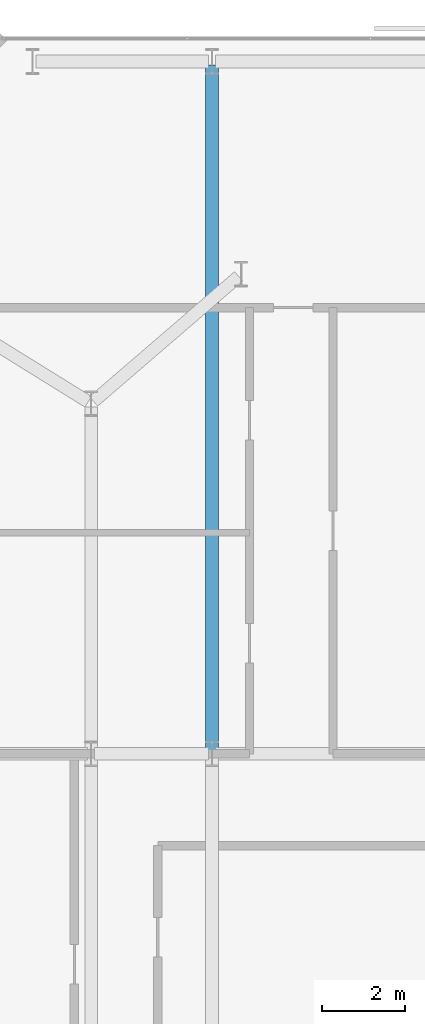
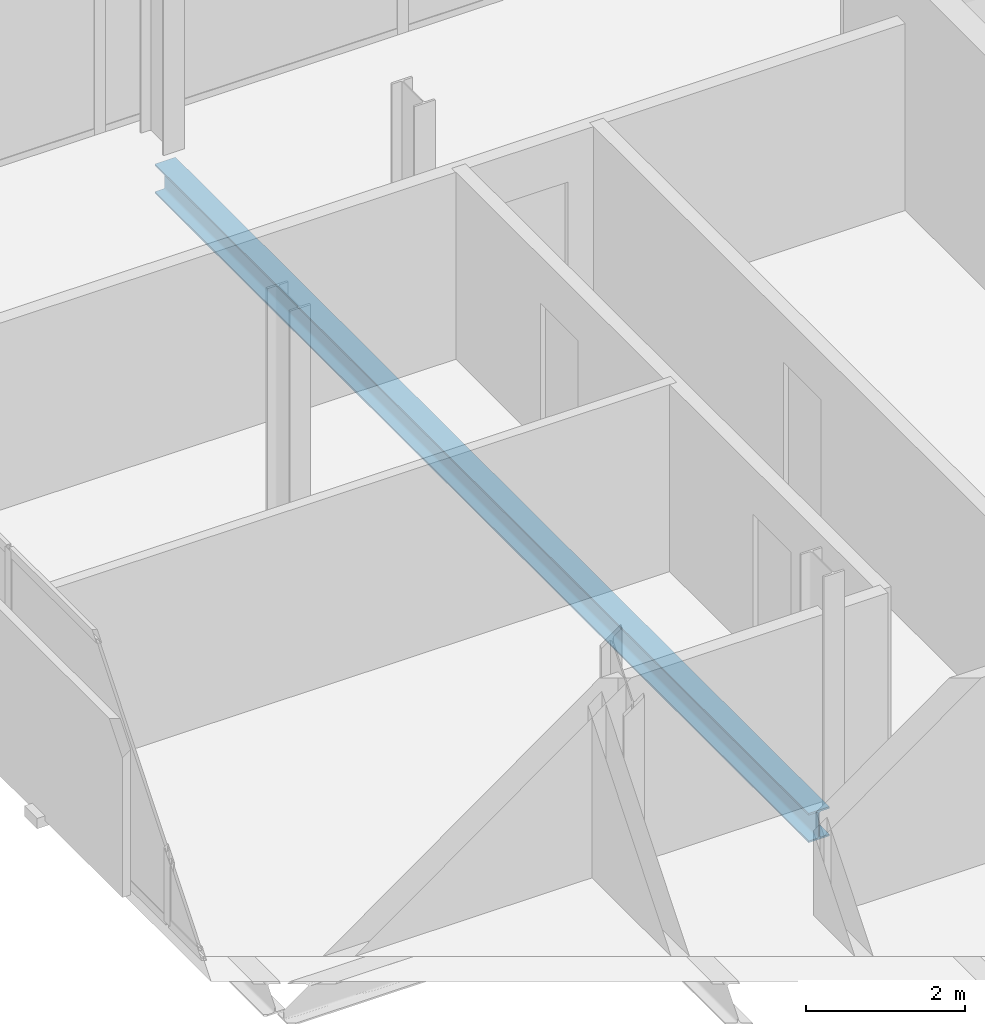
# One storey, part 18 of 32: 1 beam.
"""IFC4 building model written with IfcOpenShell, lengths in metres."""

from ifc_helpers import new_model, si_unit, direction, frame, origin, origin_2d, place, context, subcontext, project, spatial, i_section, extrude, material, material_profile, profile_set, type_object, element, save


model = new_model("IFC4")

# Units and contexts
model_context = context("Model", 3, precision=1e-05, world=origin(), true_north=direction((0.0, 1.0)))
body_context = subcontext(model_context, "Body", "Model", "MODEL_VIEW")
ifc_project = project(units=[si_unit("LENGTHUNIT", "METRE"), si_unit("AREAUNIT", "SQUARE_METRE"), si_unit("VOLUMEUNIT", "CUBIC_METRE"), si_unit("PLANEANGLEUNIT", "RADIAN"), si_unit("MASSUNIT", "GRAM", prefix="KILO")], contexts=[model_context])

# Site, building, storey
site_placement = place(None, origin())
site = spatial("IfcSite", under=ifc_project, at=site_placement, CompositionType="ELEMENT")
building_placement = place(site_placement, origin())
building = spatial("IfcBuilding", under=site, at=building_placement, Name="Catumbela Crestline Tower", CompositionType="ELEMENT")
storey_placement = place(building_placement, frame((0.0, 0.0, 122.4)))
storey = spatial("IfcBuildingStorey", under=building, at=storey_placement, Name="L31", CompositionType="ELEMENT", Elevation=122.4)

# Beam
ifc_material = material(Name="Structural steel S355J2", Category="steel")
ifc_material_profile = material_profile(ifc_material, i_section(OverallWidth=0.3, OverallDepth=0.45, WebThickness=0.014, FlangeThickness=0.026, FilletRadius=0.027, at=origin_2d()), Name="HEB 450")
ifc_profile_set = profile_set([ifc_material_profile], Name="Structural steel S355J2")
beam_type = type_object("IfcBeamType", Name="BG-HEB450", PredefinedType="BEAM", material=ifc_profile_set)
beam_placement = place(storey_placement, frame((8.5, 30.88, -0.485), z_axis=(0.0, 1.0, 0.0), x_axis=(-1.0, 0.0, 0.0)))
element("IfcBeam", 1, at=beam_placement, inside=storey, type_object=beam_type, Name="L31 Beam BM-L31-SN27", PredefinedType="BEAM", context=body_context, shape_type="SweptSolid", body=[
    extrude(i_section(OverallWidth=0.3, OverallDepth=0.45, WebThickness=0.014, FlangeThickness=0.026, FilletRadius=0.027, at=origin_2d()), origin(), (0.0, 0.0, 1.0), 16.44),
])

save(model, "model.ifc")
